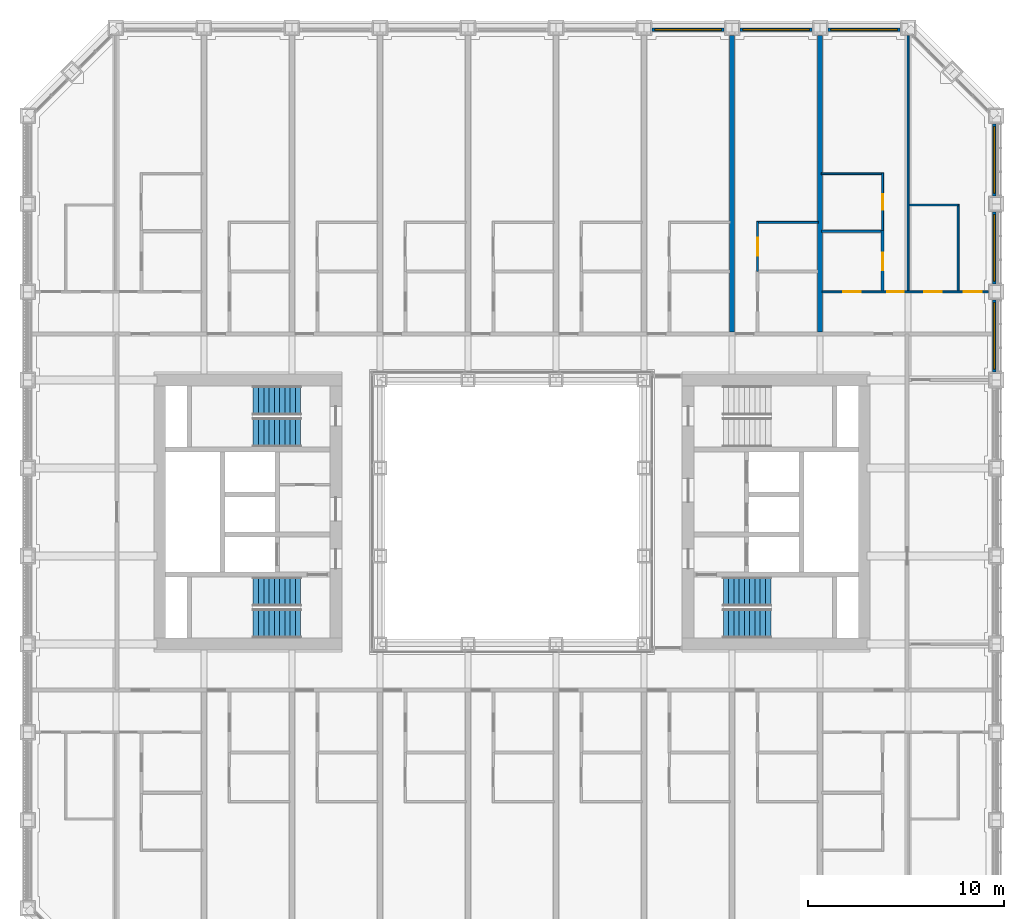
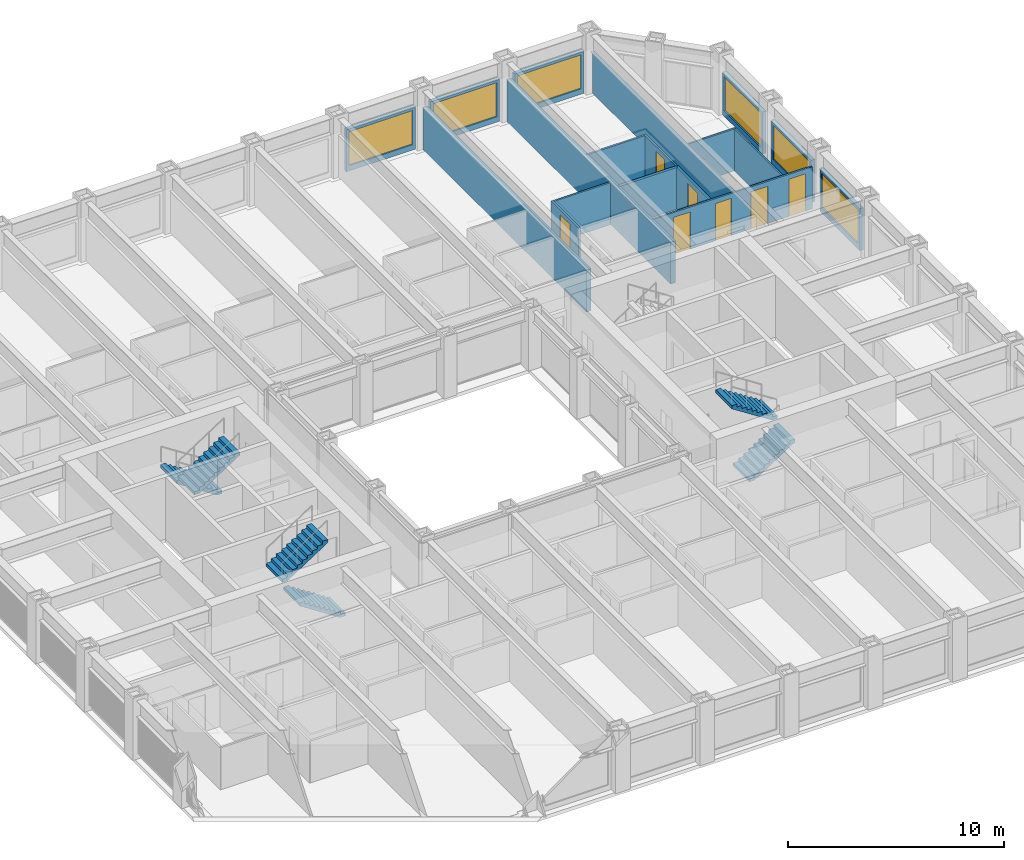
# One storey, part 15 of 21: 18 walls, 7 doors, 6 stair flights, 6 windows, 13 openings, 3 elements without a shape of their own.
"""IFC4 building model written with IfcOpenShell, lengths in metres."""

from ifc_helpers import new_model, si_unit, direction, frame, frame_2d, origin, place, context, subcontext, project, spatial, polyline, rectangle, outline, extrude, material, layer, layer_set, type_object, element, fill, aggregate, save


model = new_model("IFC4")

# Units and contexts
model_context = context("Model", 3, precision=1e-05, world=origin(), true_north=direction((0.0, 1.0)))
body_context = subcontext(model_context, "Body", "Model", "MODEL_VIEW")
ifc_project = project(units=[si_unit("LENGTHUNIT", "METRE"), si_unit("AREAUNIT", "SQUARE_METRE"), si_unit("VOLUMEUNIT", "CUBIC_METRE"), si_unit("PLANEANGLEUNIT", "RADIAN"), si_unit("MASSUNIT", "GRAM", prefix="KILO")], contexts=[model_context])

# Site, building, storey
site_placement = place(None, origin())
site = spatial("IfcSite", under=ifc_project, at=site_placement, CompositionType="ELEMENT")
building_placement = place(site_placement, origin())
building = spatial("IfcBuilding", under=site, at=building_placement, Name="Msasa Ring Tower", CompositionType="ELEMENT")
storey_placement = place(building_placement, frame((0.0, 0.0, 30.0)))
storey = spatial("IfcBuildingStorey", under=building, at=storey_placement, Name="L06", CompositionType="ELEMENT", Elevation=30.0)

# Wall, opening, window
ifc_material_1 = material(Name="Terracotta rainscreen on blockwork", Category="masonry")
ifc_layer_1 = layer(ifc_material_1, 0.199951171875)
ifc_layer_set_1 = layer_set([ifc_layer_1], Name="FW1 TERRACOTTA-LINED INFILL BAY WALL 200")
wall_type_1 = type_object("IfcWallType", Name="FW1 TERRACOTTA-LINED INFILL BAY WALL 200", PredefinedType="SOLIDWALL", material=ifc_layer_set_1)
wall_1_placement = place(storey_placement, frame((24.64990234375, 7.155029296875, 0.0), z_axis=(0.0, 0.0, 1.0), x_axis=(0.0, 1.0, 0.0)))
wall_1 = element("IfcWall", 1, at=wall_1_placement, inside=storey, type_object=wall_type_1, Name="Infill bay wall E L06 17", PredefinedType="SOLIDWALL", context=body_context, shape_type="SweptSolid", body=[
    extrude(rectangle(XDim=3.68994140625, YDim=0.199951171875, at=frame_2d((1.844970703125, 0.0))), origin(), (0.0, 0.0, 1.0), 2.37890625),
])
opening_1_placement = place(wall_1_placement, frame((0.14501953125, 0.0, 0.300048828125)))
opening_1 = element("IfcOpeningElement", 2, at=opening_1_placement, cuts=wall_1, Name="Opening WN1", PredefinedType="OPENING", context=body_context, shape_type="SweptSolid", body=[
    extrude(rectangle(XDim=3.39990234375, YDim=1.928955078125, at=frame_2d((1.699951171875, 0.96435546875))), frame((0.0, 0.10986328125, 0.0), z_axis=(0.0, -1.0, 0.0), x_axis=(1.0, 0.0, 0.0)), (0.0, 0.0, 1.0), 0.219970703125),
])
ifc_material_2 = material(Name="Aluminium frame with clear glass", Category="aluminium")
window_type = type_object("IfcWindowType", Name="WN1 RESIDENCE WINDOW 3400x1929", PartitioningType="SINGLE_PANEL", PredefinedType="WINDOW", material=ifc_material_2)
window_1_placement = place(opening_1_placement, origin())
window_1 = element("IfcWindow", 3, at=window_1_placement, inside=storey, type_object=window_type, Name="Window E L06 17", OverallHeight=1.928955078125, OverallWidth=3.39990234375, PartitioningType="SINGLE_PANEL", PredefinedType="WINDOW", context=body_context, shape_type="SweptSolid", body=[
    extrude(rectangle(XDim=3.39990234375, YDim=1.928955078125, at=frame_2d((1.699951171875, 0.96435546875))), frame((0.0, 0.030029296875, 0.0), z_axis=(0.0, -1.0, 0.0), x_axis=(1.0, 0.0, 0.0)), (0.0, 0.0, 1.0), 0.06005859375),
])
fill(opening_1, window_1)

wall_2_placement = place(storey_placement, frame((24.64990234375, 11.655029296875, 0.0), z_axis=(0.0, 0.0, 1.0), x_axis=(0.0, 1.0, 0.0)))
wall_2 = element("IfcWall", 4, at=wall_2_placement, inside=storey, type_object=wall_type_1, Name="Infill bay wall E L06 18", PredefinedType="SOLIDWALL", context=body_context, shape_type="SweptSolid", body=[
    extrude(rectangle(XDim=3.68994140625, YDim=0.199951171875, at=frame_2d((1.844970703125, 0.0))), origin(), (0.0, 0.0, 1.0), 2.37890625),
])
opening_2_placement = place(wall_2_placement, frame((0.14501953125, 0.0, 0.300048828125)))
opening_2 = element("IfcOpeningElement", 5, at=opening_2_placement, cuts=wall_2, Name="Opening WN1", PredefinedType="OPENING", context=body_context, shape_type="SweptSolid", body=[
    extrude(rectangle(XDim=3.39990234375, YDim=1.928955078125, at=frame_2d((1.699951171875, 0.96435546875))), frame((0.0, 0.10986328125, 0.0), z_axis=(0.0, -1.0, 0.0), x_axis=(1.0, 0.0, 0.0)), (0.0, 0.0, 1.0), 0.219970703125),
])
window_2_placement = place(opening_2_placement, origin())
window_2 = element("IfcWindow", 6, at=window_2_placement, inside=storey, type_object=window_type, Name="Window E L06 18", OverallHeight=1.928955078125, OverallWidth=3.39990234375, PartitioningType="SINGLE_PANEL", PredefinedType="WINDOW", context=body_context, shape_type="SweptSolid", body=[
    extrude(rectangle(XDim=3.39990234375, YDim=1.928955078125, at=frame_2d((1.699951171875, 0.96435546875))), frame((0.0, 0.030029296875, 0.0), z_axis=(0.0, -1.0, 0.0), x_axis=(1.0, 0.0, 0.0)), (0.0, 0.0, 1.0), 0.06005859375),
])
fill(opening_2, window_2)

wall_3_placement = place(storey_placement, frame((24.64990234375, 16.155029296875, 0.0), z_axis=(0.0, 0.0, 1.0), x_axis=(0.0, 1.0, 0.0)))
wall_3 = element("IfcWall", 7, at=wall_3_placement, inside=storey, type_object=wall_type_1, Name="Infill bay wall E L06 19", PredefinedType="SOLIDWALL", context=body_context, shape_type="SweptSolid", body=[
    extrude(rectangle(XDim=3.68994140625, YDim=0.199951171875, at=frame_2d((1.844970703125, 0.0))), origin(), (0.0, 0.0, 1.0), 2.37890625),
])
opening_3_placement = place(wall_3_placement, frame((0.14501953125, 0.0, 0.300048828125)))
opening_3 = element("IfcOpeningElement", 8, at=opening_3_placement, cuts=wall_3, Name="Opening WN1", PredefinedType="OPENING", context=body_context, shape_type="SweptSolid", body=[
    extrude(rectangle(XDim=3.39990234375, YDim=1.928955078125, at=frame_2d((1.699951171875, 0.96435546875))), frame((0.0, 0.10986328125, 0.0), z_axis=(0.0, -1.0, 0.0), x_axis=(1.0, 0.0, 0.0)), (0.0, 0.0, 1.0), 0.219970703125),
])
window_3_placement = place(opening_3_placement, origin())
window_3 = element("IfcWindow", 9, at=window_3_placement, inside=storey, type_object=window_type, Name="Window E L06 19", OverallHeight=1.928955078125, OverallWidth=3.39990234375, PartitioningType="SINGLE_PANEL", PredefinedType="WINDOW", context=body_context, shape_type="SweptSolid", body=[
    extrude(rectangle(XDim=3.39990234375, YDim=1.928955078125, at=frame_2d((1.699951171875, 0.96435546875))), frame((0.0, 0.030029296875, 0.0), z_axis=(0.0, -1.0, 0.0), x_axis=(1.0, 0.0, 0.0)), (0.0, 0.0, 1.0), 0.06005859375),
])
fill(opening_3, window_3)

wall_4_placement = place(storey_placement, frame((7.155029296875, 24.64990234375, 0.0), z_axis=(0.0, 0.0, 1.0), x_axis=(1.0, 0.0, 0.0)))
wall_4 = element("IfcWall", 10, at=wall_4_placement, inside=storey, type_object=wall_type_1, Name="Infill bay wall N L06 28", PredefinedType="SOLIDWALL", context=body_context, shape_type="SweptSolid", body=[
    extrude(rectangle(XDim=3.68994140625, YDim=0.199951171875, at=frame_2d((1.844970703125, 0.0))), origin(), (0.0, 0.0, 1.0), 2.37890625),
])
opening_4_placement = place(wall_4_placement, frame((0.14501953125, 0.0, 0.300048828125)))
opening_4 = element("IfcOpeningElement", 11, at=opening_4_placement, cuts=wall_4, Name="Opening WN1", PredefinedType="OPENING", context=body_context, shape_type="SweptSolid", body=[
    extrude(rectangle(XDim=3.39990234375, YDim=1.928955078125, at=frame_2d((1.699951171875, 0.96435546875))), frame((0.0, 0.10986328125, 0.0), z_axis=(0.0, -1.0, 0.0), x_axis=(1.0, 0.0, 0.0)), (0.0, 0.0, 1.0), 0.219970703125),
])
window_4_placement = place(opening_4_placement, origin())
window_4 = element("IfcWindow", 12, at=window_4_placement, inside=storey, type_object=window_type, Name="Window N L06 28", OverallHeight=1.928955078125, OverallWidth=3.39990234375, PartitioningType="SINGLE_PANEL", PredefinedType="WINDOW", context=body_context, shape_type="SweptSolid", body=[
    extrude(rectangle(XDim=3.39990234375, YDim=1.928955078125, at=frame_2d((1.699951171875, 0.96435546875))), frame((0.0, 0.030029296875, 0.0), z_axis=(0.0, -1.0, 0.0), x_axis=(1.0, 0.0, 0.0)), (0.0, 0.0, 1.0), 0.06005859375),
])
fill(opening_4, window_4)

wall_5_placement = place(storey_placement, frame((11.655029296875, 24.64990234375, 0.0), z_axis=(0.0, 0.0, 1.0), x_axis=(1.0, 0.0, 0.0)))
wall_5 = element("IfcWall", 13, at=wall_5_placement, inside=storey, type_object=wall_type_1, Name="Infill bay wall N L06 29", PredefinedType="SOLIDWALL", context=body_context, shape_type="SweptSolid", body=[
    extrude(rectangle(XDim=3.68994140625, YDim=0.199951171875, at=frame_2d((1.844970703125, 0.0))), origin(), (0.0, 0.0, 1.0), 2.37890625),
])
opening_5_placement = place(wall_5_placement, frame((0.14501953125, 0.0, 0.300048828125)))
opening_5 = element("IfcOpeningElement", 14, at=opening_5_placement, cuts=wall_5, Name="Opening WN1", PredefinedType="OPENING", context=body_context, shape_type="SweptSolid", body=[
    extrude(rectangle(XDim=3.39990234375, YDim=1.928955078125, at=frame_2d((1.699951171875, 0.96435546875))), frame((0.0, 0.10986328125, 0.0), z_axis=(0.0, -1.0, 0.0), x_axis=(1.0, 0.0, 0.0)), (0.0, 0.0, 1.0), 0.219970703125),
])
window_5_placement = place(opening_5_placement, origin())
window_5 = element("IfcWindow", 15, at=window_5_placement, inside=storey, type_object=window_type, Name="Window N L06 29", OverallHeight=1.928955078125, OverallWidth=3.39990234375, PartitioningType="SINGLE_PANEL", PredefinedType="WINDOW", context=body_context, shape_type="SweptSolid", body=[
    extrude(rectangle(XDim=3.39990234375, YDim=1.928955078125, at=frame_2d((1.699951171875, 0.96435546875))), frame((0.0, 0.030029296875, 0.0), z_axis=(0.0, -1.0, 0.0), x_axis=(1.0, 0.0, 0.0)), (0.0, 0.0, 1.0), 0.06005859375),
])
fill(opening_5, window_5)

wall_6_placement = place(storey_placement, frame((16.155029296875, 24.64990234375, 0.0), z_axis=(0.0, 0.0, 1.0), x_axis=(1.0, 0.0, 0.0)))
wall_6 = element("IfcWall", 16, at=wall_6_placement, inside=storey, type_object=wall_type_1, Name="Infill bay wall N L06 30", PredefinedType="SOLIDWALL", context=body_context, shape_type="SweptSolid", body=[
    extrude(rectangle(XDim=3.68994140625, YDim=0.199951171875, at=frame_2d((1.844970703125, 0.0))), origin(), (0.0, 0.0, 1.0), 2.37890625),
])
opening_6_placement = place(wall_6_placement, frame((0.14501953125, 0.0, 0.300048828125)))
opening_6 = element("IfcOpeningElement", 17, at=opening_6_placement, cuts=wall_6, Name="Opening WN1", PredefinedType="OPENING", context=body_context, shape_type="SweptSolid", body=[
    extrude(rectangle(XDim=3.39990234375, YDim=1.928955078125, at=frame_2d((1.699951171875, 0.96435546875))), frame((0.0, 0.10986328125, 0.0), z_axis=(0.0, -1.0, 0.0), x_axis=(1.0, 0.0, 0.0)), (0.0, 0.0, 1.0), 0.219970703125),
])
window_6_placement = place(opening_6_placement, origin())
window_6 = element("IfcWindow", 18, at=window_6_placement, inside=storey, type_object=window_type, Name="Window N L06 30", OverallHeight=1.928955078125, OverallWidth=3.39990234375, PartitioningType="SINGLE_PANEL", PredefinedType="WINDOW", context=body_context, shape_type="SweptSolid", body=[
    extrude(rectangle(XDim=3.39990234375, YDim=1.928955078125, at=frame_2d((1.699951171875, 0.96435546875))), frame((0.0, 0.030029296875, 0.0), z_axis=(0.0, -1.0, 0.0), x_axis=(1.0, 0.0, 0.0)), (0.0, 0.0, 1.0), 0.06005859375),
])
fill(opening_6, window_6)

# Wall
ifc_material_3 = material(Name="Gypsum board on steel studs", Category="steel")
ifc_layer_2 = layer(ifc_material_3, 0.10009765625)
ifc_layer_set_2 = layer_set([ifc_layer_2], Name="PT2 STUD PARTITION 100")
wall_type_2 = type_object("IfcWallType", Name="PT2 STUD PARTITION 100", PredefinedType="PARTITIONING", material=ifc_layer_set_2)
wall_7_placement = place(storey_placement, frame((12.60009765625, 14.800048828125, 0.0), z_axis=(0.0, 0.0, 1.0), x_axis=(1.0, 0.0, 0.0)))
element("IfcWall", 19, at=wall_7_placement, inside=storey, type_object=wall_type_2, Name="Partition L06-UN07KY", PredefinedType="PARTITIONING", context=body_context, shape_type="SweptSolid", body=[
    extrude(rectangle(XDim=3.0498046875, YDim=0.10009765625, at=frame_2d((1.52490234375, 0.0))), origin(), (0.0, 0.0, 1.0), 2.373291015625),
])

# Wall, opening, door
wall_8_placement = place(storey_placement, frame((12.550048828125, 12.300048828125, 0.0), z_axis=(0.0, 0.0, 1.0), x_axis=(0.0, 1.0, 0.0)))
wall_8 = element("IfcWall", 20, at=wall_8_placement, inside=storey, type_object=wall_type_2, Name="Partition L06-UN07KX", PredefinedType="PARTITIONING", context=body_context, shape_type="SweptSolid", body=[
    extrude(rectangle(XDim=2.550048828125, YDim=0.10009765625, at=frame_2d((1.27490234375, 0.0))), origin(), (0.0, 0.0, 1.0), 2.373291015625),
])
opening_7_placement = place(wall_8_placement, frame((0.81005859375, 0.0, 0.0)))
opening_7 = element("IfcOpeningElement", 21, at=opening_7_placement, cuts=wall_8, Name="Opening RA-009", PredefinedType="OPENING", context=body_context, shape_type="SweptSolid", body=[
    extrude(rectangle(XDim=0.89990234375, YDim=2.10009765625, at=frame_2d((0.449951171875, 1.050048828125))), frame((0.0, 0.06005859375, 0.0), z_axis=(0.0, -1.0, 0.0), x_axis=(1.0, 0.0, 0.0)), (0.0, 0.0, 1.0), 0.1201171875),
])
ifc_material_4 = material(Name="Timber door leaf in a steel frame", Category="steel")
door_type_1 = type_object("IfcDoorType", Name="D22 INTERNAL HALL DOOR 900x2100", OperationType="SINGLE_SWING_LEFT", PredefinedType="DOOR", material=ifc_material_4)
door_1_placement = place(opening_7_placement, origin())
door_1 = element("IfcDoor", 22, at=door_1_placement, inside=storey, type_object=door_type_1, Name="Door L06-UN07K", OperationType="SINGLE_SWING_LEFT", OverallHeight=2.10009765625, OverallWidth=0.89990234375, PredefinedType="DOOR", context=body_context, shape_type="SweptSolid", body=[
    extrude(rectangle(XDim=0.89990234375, YDim=2.10009765625, at=frame_2d((0.449951171875, 1.050048828125))), frame((0.0, 0.02490234375, 0.0), z_axis=(0.0, -1.0, 0.0), x_axis=(1.0, 0.0, 0.0)), (0.0, 0.0, 1.0), 0.050048828125),
])
fill(opening_7, door_1)

# Wall, openings, doors
wall_9_placement = place(storey_placement, frame((15.85009765625, 11.25, 0.0), z_axis=(0.0, 0.0, 1.0), x_axis=(1.0, 0.0, 0.0)))
wall_9 = element("IfcWall", 23, at=wall_9_placement, inside=storey, type_object=wall_type_2, Name="Partition L06-UN08HY", PredefinedType="PARTITIONING", context=body_context, shape_type="SweptSolid", body=[
    extrude(rectangle(XDim=8.5, YDim=0.10009765625, at=frame_2d((4.25, 0.0))), origin(), (0.0, 0.0, 1.0), 2.373291015625),
])
opening_8_placement = place(wall_9_placement, frame((5.22509765625, 0.0, 0.0)))
opening_8 = element("IfcOpeningElement", 24, at=opening_8_placement, cuts=wall_9, Name="Opening RA-018", PredefinedType="OPENING", context=body_context, shape_type="SweptSolid", body=[
    extrude(rectangle(XDim=0.89990234375, YDim=2.10009765625, at=frame_2d((0.449951171875, 1.050048828125))), frame((0.0, 0.06005859375, 0.0), z_axis=(0.0, -1.0, 0.0), x_axis=(1.0, 0.0, 0.0)), (0.0, 0.0, 1.0), 0.1201171875),
])
opening_9_placement = place(wall_9_placement, frame((7.25, 0.0, 0.0)))
opening_9 = element("IfcOpeningElement", 25, at=opening_9_placement, cuts=wall_9, Name="Opening RA-019", PredefinedType="OPENING", context=body_context, shape_type="SweptSolid", body=[
    extrude(rectangle(XDim=0.89990234375, YDim=2.10009765625, at=frame_2d((0.449951171875, 1.050048828125))), frame((0.0, 0.06005859375, 0.0), z_axis=(0.0, -1.0, 0.0), x_axis=(1.0, 0.0, 0.0)), (0.0, 0.0, 1.0), 0.1201171875),
])
opening_10_placement = place(wall_9_placement, frame((3.324951171875, 0.0, 0.0)))
opening_10 = element("IfcOpeningElement", 26, at=opening_10_placement, cuts=wall_9, Name="Opening RA-017", PredefinedType="OPENING", context=body_context, shape_type="SweptSolid", body=[
    extrude(rectangle(XDim=0.85009765625, YDim=2.10009765625, at=frame_2d((0.425048828125, 1.050048828125))), frame((0.0, 0.06005859375, 0.0), z_axis=(0.0, -1.0, 0.0), x_axis=(1.0, 0.0, 0.0)), (0.0, 0.0, 1.0), 0.1201171875),
])
opening_11_placement = place(wall_9_placement, frame((1.080078125, 0.0, 0.0)))
opening_11 = element("IfcOpeningElement", 27, at=opening_11_placement, cuts=wall_9, Name="Opening RA-016", PredefinedType="OPENING", context=body_context, shape_type="SweptSolid", body=[
    extrude(rectangle(XDim=0.89990234375, YDim=2.10009765625, at=frame_2d((0.449951171875, 1.050048828125))), frame((0.0, 0.06005859375, 0.0), z_axis=(0.0, -1.0, 0.0), x_axis=(1.0, 0.0, 0.0)), (0.0, 0.0, 1.0), 0.1201171875),
])
ifc_material_5 = material(Name="Timber door leaf in a steel frame", Category="steel")
door_type_2 = type_object("IfcDoorType", Name="D14 BEDROOM DOOR 850x2100", OperationType="SINGLE_SWING_LEFT", PredefinedType="DOOR", material=ifc_material_5)
door_2_placement = place(opening_10_placement, origin())
door_2 = element("IfcDoor", 28, at=door_2_placement, inside=storey, type_object=door_type_2, Name="Door L06-UN08R1", OperationType="SINGLE_SWING_LEFT", OverallHeight=2.10009765625, OverallWidth=0.85009765625, PredefinedType="DOOR", context=body_context, shape_type="SweptSolid", body=[
    extrude(rectangle(XDim=0.85009765625, YDim=2.10009765625, at=frame_2d((0.425048828125, 1.050048828125))), frame((0.0, 0.02490234375, 0.0), z_axis=(0.0, -1.0, 0.0), x_axis=(1.0, 0.0, 0.0)), (0.0, 0.0, 1.0), 0.050048828125),
])
fill(opening_10, door_2)
door_3_placement = place(opening_8_placement, origin())
door_3 = element("IfcDoor", 29, at=door_3_placement, inside=storey, type_object=door_type_1, Name="Door L06-UN08K", OperationType="SINGLE_SWING_RIGHT", OverallHeight=2.10009765625, OverallWidth=0.89990234375, PredefinedType="DOOR", context=body_context, shape_type="SweptSolid", body=[
    extrude(rectangle(XDim=0.89990234375, YDim=2.10009765625, at=frame_2d((0.449951171875, 1.050048828125))), frame((0.0, 0.02490234375, 0.0), z_axis=(0.0, -1.0, 0.0), x_axis=(1.0, 0.0, 0.0)), (0.0, 0.0, 1.0), 0.050048828125),
])
fill(opening_8, door_3)
door_4_placement = place(opening_9_placement, origin())
door_4 = element("IfcDoor", 30, at=door_4_placement, inside=storey, type_object=door_type_1, Name="Door L06-UN08L", OperationType="SINGLE_SWING_RIGHT", OverallHeight=2.10009765625, OverallWidth=0.89990234375, PredefinedType="DOOR", context=body_context, shape_type="SweptSolid", body=[
    extrude(rectangle(XDim=0.89990234375, YDim=2.10009765625, at=frame_2d((0.449951171875, 1.050048828125))), frame((0.0, 0.02490234375, 0.0), z_axis=(0.0, -1.0, 0.0), x_axis=(1.0, 0.0, 0.0)), (0.0, 0.0, 1.0), 0.050048828125),
])
fill(opening_9, door_4)
ifc_material_6 = material(Name="Timber door leaf in a steel frame", Category="steel")
door_type_3 = type_object("IfcDoorType", Name="D3 BATHROOM DOOR 900x2100", OperationType="SINGLE_SWING_LEFT", PredefinedType="DOOR", material=ifc_material_6)
door_5_placement = place(opening_11_placement, origin())
door_5 = element("IfcDoor", 31, at=door_5_placement, inside=storey, type_object=door_type_3, Name="Door L06-UN08BH1", OperationType="SINGLE_SWING_LEFT", OverallHeight=2.10009765625, OverallWidth=0.89990234375, PredefinedType="DOOR", context=body_context, shape_type="SweptSolid", body=[
    extrude(rectangle(XDim=0.89990234375, YDim=2.10009765625, at=frame_2d((0.449951171875, 1.050048828125))), frame((0.0, 0.02490234375, 0.0), z_axis=(0.0, -1.0, 0.0), x_axis=(1.0, 0.0, 0.0)), (0.0, 0.0, 1.0), 0.050048828125),
])
fill(opening_11, door_5)

# Walls
wall_10_placement = place(storey_placement, frame((22.800048828125, 11.300048828125, 0.0), z_axis=(0.0, 0.0, 1.0), x_axis=(0.0, 1.0, 0.0)))
element("IfcWall", 32, at=wall_10_placement, inside=storey, type_object=wall_type_2, Name="Partition L06-UN08KX", PredefinedType="PARTITIONING", context=body_context, shape_type="SweptSolid", body=[
    extrude(rectangle(XDim=4.442138671875, YDim=0.10009765625, at=frame_2d((2.22119140625, 0.0))), origin(), (0.0, 0.0, 1.0), 2.373291015625),
])
wall_11_placement = place(storey_placement, frame((20.300048828125, 15.692138671875, 0.0), z_axis=(0.0, 0.0, 1.0), x_axis=(1.0, 0.0, 0.0)))
element("IfcWall", 33, at=wall_11_placement, inside=storey, type_object=wall_type_2, Name="Partition L06-UN08KY", PredefinedType="PARTITIONING", context=body_context, shape_type="SweptSolid", body=[
    extrude(rectangle(XDim=2.5, YDim=0.10009765625, at=frame_2d((1.25, 0.0))), origin(), (0.0, 0.0, 1.0), 2.373291015625),
])
wall_12_placement = place(storey_placement, frame((20.25, 11.300048828125, 0.0), z_axis=(0.0, 0.0, 1.0), x_axis=(0.0, 1.0, 0.0)))
element("IfcWall", 34, at=wall_12_placement, inside=storey, type_object=wall_type_2, Name="Partition L06-UN08P1", PredefinedType="PARTITIONING", context=body_context, shape_type="SweptSolid", body=[
    extrude(rectangle(XDim=13.050048828125, YDim=0.10009765625, at=frame_2d((6.52490234375, 0.0))), origin(), (0.0, 0.0, 1.0), 2.373291015625),
])

# Wall, opening, door
wall_13_placement = place(storey_placement, frame((18.949951171875, 14.39990234375, 0.0), z_axis=(0.0, 0.0, 1.0), x_axis=(0.0, 1.0, 0.0)))
wall_13 = element("IfcWall", 35, at=wall_13_placement, inside=storey, type_object=wall_type_2, Name="Partition L06-UN08WX1", PredefinedType="PARTITIONING", context=body_context, shape_type="SweptSolid", body=[
    extrude(rectangle(XDim=2.94091796875, YDim=0.10009765625, at=frame_2d((1.470458984375, 0.0))), origin(), (0.0, 0.0, 1.0), 2.373291015625),
])
opening_12_placement = place(wall_13_placement, frame((1.04541015625, 0.0, 0.0)))
opening_12 = element("IfcOpeningElement", 36, at=opening_12_placement, cuts=wall_13, Name="Opening RA-002", PredefinedType="OPENING", context=body_context, shape_type="SweptSolid", body=[
    extrude(rectangle(XDim=0.800048828125, YDim=2.10009765625, at=frame_2d((0.39990234375, 1.050048828125))), frame((0.0, 0.06005859375, 0.0), z_axis=(0.0, -1.0, 0.0), x_axis=(1.0, 0.0, 0.0)), (0.0, 0.0, 1.0), 0.1201171875),
])
ifc_material_7 = material(Name="Timber door leaf in a steel frame", Category="steel")
door_type_4 = type_object("IfcDoorType", Name="D60 DRESSING ROOM DOOR 800x2100", OperationType="SINGLE_SWING_LEFT", PredefinedType="DOOR", material=ifc_material_7)
door_6_placement = place(opening_12_placement, origin())
door_6 = element("IfcDoor", 37, at=door_6_placement, inside=storey, type_object=door_type_4, Name="Door L06-UN08W1", OperationType="SINGLE_SWING_LEFT", OverallHeight=2.10009765625, OverallWidth=0.800048828125, PredefinedType="DOOR", context=body_context, shape_type="SweptSolid", body=[
    extrude(rectangle(XDim=0.800048828125, YDim=2.10009765625, at=frame_2d((0.39990234375, 1.050048828125))), frame((0.0, 0.02490234375, 0.0), z_axis=(0.0, -1.0, 0.0), x_axis=(1.0, 0.0, 0.0)), (0.0, 0.0, 1.0), 0.050048828125),
])
fill(opening_12, door_6)

# Walls
wall_14_placement = place(storey_placement, frame((15.81005859375, 17.291015625, 0.0), z_axis=(0.0, 0.0, 1.0), x_axis=(1.0, 0.0, 0.0)))
element("IfcWall", 38, at=wall_14_placement, inside=storey, type_object=wall_type_2, Name="Partition L06-UN08WY1", PredefinedType="PARTITIONING", context=body_context, shape_type="SweptSolid", body=[
    extrude(rectangle(XDim=3.139892578125, YDim=0.10009765625, at=frame_2d((1.56982421875, 0.0))), origin(), (0.0, 0.0, 1.0), 2.373291015625),
])
ifc_material_8 = material(Name="Dense concrete blockwork, plastered both faces", Category="masonry")
ifc_layer_3 = layer(ifc_material_8, 0.25)
ifc_layer_set_3 = layer_set([ifc_layer_3], Name="PT3 APARTMENT SEPARATING WALL 250")
wall_type_3 = type_object("IfcWallType", Name="PT3 APARTMENT SEPARATING WALL 250", PredefinedType="PARTITIONING", material=ifc_layer_set_3)
for number, where, z_axis, x_axis, name in (
    (39, (11.25, 9.199951171875, 0.0), (0.0, 0.0, 1.0), (0.0, 1.0, 0.0), "Party wall L06-PWN+11.25"),
    (40, (15.75, 9.199951171875, 0.0), (0.0, 0.0, 1.0), (0.0, 1.0, 0.0), "Party wall L06-PWN+15.75"),
):
    element("IfcWall", number, at=place(storey_placement, frame(where, z_axis=z_axis, x_axis=x_axis)), inside=storey, type_object=wall_type_3, Name=name, PredefinedType="PARTITIONING", context=body_context, shape_type="SweptSolid", body=[
        extrude(rectangle(XDim=15.150146484375, YDim=0.25, at=frame_2d((7.5751953125, 0.0))), origin(), (0.0, 0.0, 1.0), 2.373291015625),
    ])

# Wall, opening, door
ifc_material_9 = material(Name="Moisture-resistant board on steel studs with a concealed cistern and pipe void, tiled", Category="steel")
ifc_layer_4 = layer(ifc_material_9, 0.14990234375)
ifc_layer_set_4 = layer_set([ifc_layer_4], Name="PT4 BATHROOM WET WALL 150")
wall_type_4 = type_object("IfcWallType", Name="PT4 BATHROOM WET WALL 150", PredefinedType="PARTITIONING", material=ifc_layer_set_4)
wall_15_placement = place(storey_placement, frame((18.949951171875, 11.300048828125, 0.0), z_axis=(0.0, 0.0, 1.0), x_axis=(0.0, 1.0, 0.0)))
wall_15 = element("IfcWall", 41, at=wall_15_placement, inside=storey, type_object=wall_type_4, Name="Partition L06-UN08BX1", PredefinedType="PARTITIONING", context=body_context, shape_type="SweptSolid", body=[
    extrude(rectangle(XDim=3.099853515625, YDim=0.14990234375, at=frame_2d((1.5498046875, 0.0))), origin(), (0.0, 0.0, 1.0), 2.373291015625),
])
opening_13_placement = place(wall_15_placement, frame((1.050048828125, 0.0, 0.0)))
opening_13 = element("IfcOpeningElement", 42, at=opening_13_placement, cuts=wall_15, Name="Opening RA-011", PredefinedType="OPENING", context=body_context, shape_type="SweptSolid", body=[
    extrude(rectangle(XDim=0.89990234375, YDim=2.10009765625, at=frame_2d((0.449951171875, 1.050048828125))), frame((0.0, 0.0849609375, 0.0), z_axis=(0.0, -1.0, 0.0), x_axis=(1.0, 0.0, 0.0)), (0.0, 0.0, 1.0), 0.169921875),
])
door_7_placement = place(opening_13_placement, origin())
door_7 = element("IfcDoor", 43, at=door_7_placement, inside=storey, type_object=door_type_3, Name="Door L06-UN08B1", OperationType="SINGLE_SWING_LEFT", OverallHeight=2.10009765625, OverallWidth=0.89990234375, PredefinedType="DOOR", context=body_context, shape_type="SweptSolid", body=[
    extrude(rectangle(XDim=0.89990234375, YDim=2.10009765625, at=frame_2d((0.449951171875, 1.050048828125))), frame((0.0, 0.02490234375, 0.0), z_axis=(0.0, -1.0, 0.0), x_axis=(1.0, 0.0, 0.0)), (0.0, 0.0, 1.0), 0.050048828125),
])
fill(opening_13, door_7)

# Wall
wall_16_placement = place(storey_placement, frame((15.81005859375, 14.35009765625, 0.0), z_axis=(0.0, 0.0, 1.0), x_axis=(1.0, 0.0, 0.0)))
element("IfcWall", 44, at=wall_16_placement, inside=storey, type_object=wall_type_4, Name="Partition L06-UN08BY1", PredefinedType="PARTITIONING", context=body_context, shape_type="SweptSolid", body=[
    extrude(rectangle(XDim=3.139892578125, YDim=0.14990234375, at=frame_2d((1.56982421875, 0.0))), origin(), (0.0, 0.0, 1.0), 2.373291015625),
])

# Stair, stair flights
ifc_material_10 = material(Name="Concrete C40/50", Category="concrete")
stair_type = type_object("IfcStairType", Name="STC CORE STAIR 20 RISERS 175", PredefinedType="HALF_TURN_STAIR", material=ifc_material_10)
stair_1_placement = place(storey_placement, origin())
stair_1 = element("IfcStair", 45, at=stair_1_placement, inside=storey, type_object=stair_type, Name="Core stair SEA L06", PredefinedType="HALF_TURN_STAIR")
ifc_material_11 = material(Name="Concrete C40/50", Category="concrete")
stair_flight_type = type_object("IfcStairFlightType", Name="ST12 CORE STAIR FLIGHT 1500 10 RISERS 175", PredefinedType="STRAIGHT", material=ifc_material_11)
stair_flight_1_placement = place(storey_placement, frame((10.800048828125, -5.699951171875, 0.0), z_axis=(0.0, 0.0, 1.0), x_axis=(1.0, 0.0, 0.0)))
stair_flight_1 = element("IfcStairFlight", 46, at=stair_flight_1_placement, type_object=stair_flight_type, Name="SEA flight 1", NumberOfRisers=10, NumberOfTreads=9, PredefinedType="STRAIGHT", RiserHeight=0.175, TreadLength=0.27, context=body_context, shape_type="SweptSolid", body=[
    extrude(outline(polyline([(0.0, 0.0), (0.0, 0.175048828125), (0.27001953125, 0.175048828125), (0.27001953125, 0.35009765625), (0.5400390625, 0.35009765625), (0.5400390625, 0.52490234375), (0.81005859375, 0.52490234375), (0.81005859375, 0.699951171875), (1.080078125, 0.699951171875), (1.080078125, 0.875), (1.35009765625, 0.875), (1.35009765625, 1.050048828125), (1.6201171875, 1.050048828125), (1.6201171875, 1.22509765625), (1.889892578125, 1.22509765625), (1.889892578125, 1.39990234375), (2.159912109375, 1.39990234375), (2.159912109375, 1.574951171875), (2.429931640625, 1.574951171875), (2.429931640625, 1.75), (2.429931640625, 1.396484375), (0.275634765625, 0.0), (0.0, 0.0)])), frame((0.0, 0.75, 0.0), z_axis=(0.0, -1.0, 0.0), x_axis=(1.0, 0.0, 0.0)), (0.0, 0.0, 1.0), 1.5),
])
stair_flight_2_placement = place(storey_placement, frame((13.22998046875, -4.074951171875, 1.75), z_axis=(0.0, 0.0, 1.0), x_axis=(-1.0, 0.0, 0.0)))
stair_flight_2 = element("IfcStairFlight", 47, at=stair_flight_2_placement, type_object=stair_flight_type, Name="SEA flight 2", NumberOfRisers=10, NumberOfTreads=9, PredefinedType="STRAIGHT", RiserHeight=0.175, TreadLength=0.27, context=body_context, shape_type="SweptSolid", body=[
    extrude(outline(polyline([(0.0, 0.0), (0.0, 0.175048828125), (0.27001953125, 0.175048828125), (0.27001953125, 0.35009765625), (0.5400390625, 0.35009765625), (0.5400390625, 0.52490234375), (0.81005859375, 0.52490234375), (0.81005859375, 0.699951171875), (1.080078125, 0.699951171875), (1.080078125, 0.875), (1.35009765625, 0.875), (1.35009765625, 1.050048828125), (1.6201171875, 1.050048828125), (1.6201171875, 1.22509765625), (1.889892578125, 1.22509765625), (1.889892578125, 1.39990234375), (2.159912109375, 1.39990234375), (2.159912109375, 1.574951171875), (2.429931640625, 1.574951171875), (2.429931640625, 1.75), (2.429931640625, 1.396484375), (0.275634765625, 0.0), (0.0, 0.0)])), frame((0.0, 0.75, 0.0), z_axis=(0.0, -1.0, 0.0), x_axis=(1.0, 0.0, 0.0)), (0.0, 0.0, 1.0), 1.5),
])
aggregate(stair_1, [stair_flight_1, stair_flight_2])

stair_2_placement = place(storey_placement, origin())
stair_2 = element("IfcStair", 48, at=stair_2_placement, inside=storey, type_object=stair_type, Name="Core stair SWA L06", PredefinedType="HALF_TURN_STAIR")
stair_flight_3_placement = place(storey_placement, frame((-10.800048828125, -5.699951171875, 0.0), z_axis=(0.0, 0.0, 1.0), x_axis=(-1.0, 0.0, 0.0)))
stair_flight_3 = element("IfcStairFlight", 49, at=stair_flight_3_placement, type_object=stair_flight_type, Name="SWA flight 1", NumberOfRisers=10, NumberOfTreads=9, PredefinedType="STRAIGHT", RiserHeight=0.175, TreadLength=0.27, context=body_context, shape_type="SweptSolid", body=[
    extrude(outline(polyline([(0.0, 0.0), (0.0, 0.175048828125), (0.27001953125, 0.175048828125), (0.27001953125, 0.35009765625), (0.5400390625, 0.35009765625), (0.5400390625, 0.52490234375), (0.81005859375, 0.52490234375), (0.81005859375, 0.699951171875), (1.080078125, 0.699951171875), (1.080078125, 0.875), (1.35009765625, 0.875), (1.35009765625, 1.050048828125), (1.6201171875, 1.050048828125), (1.6201171875, 1.22509765625), (1.889892578125, 1.22509765625), (1.889892578125, 1.39990234375), (2.159912109375, 1.39990234375), (2.159912109375, 1.574951171875), (2.429931640625, 1.574951171875), (2.429931640625, 1.75), (2.429931640625, 1.396484375), (0.275634765625, 0.0), (0.0, 0.0)])), frame((0.0, 0.75, 0.0), z_axis=(0.0, -1.0, 0.0), x_axis=(1.0, 0.0, 0.0)), (0.0, 0.0, 1.0), 1.5),
])
stair_flight_4_placement = place(storey_placement, frame((-13.22998046875, -4.074951171875, 1.75), z_axis=(0.0, 0.0, 1.0), x_axis=(1.0, 0.0, 0.0)))
stair_flight_4 = element("IfcStairFlight", 50, at=stair_flight_4_placement, type_object=stair_flight_type, Name="SWA flight 2", NumberOfRisers=10, NumberOfTreads=9, PredefinedType="STRAIGHT", RiserHeight=0.175, TreadLength=0.27, context=body_context, shape_type="SweptSolid", body=[
    extrude(outline(polyline([(0.0, 0.0), (0.0, 0.175048828125), (0.27001953125, 0.175048828125), (0.27001953125, 0.35009765625), (0.5400390625, 0.35009765625), (0.5400390625, 0.52490234375), (0.81005859375, 0.52490234375), (0.81005859375, 0.699951171875), (1.080078125, 0.699951171875), (1.080078125, 0.875), (1.35009765625, 0.875), (1.35009765625, 1.050048828125), (1.6201171875, 1.050048828125), (1.6201171875, 1.22509765625), (1.889892578125, 1.22509765625), (1.889892578125, 1.39990234375), (2.159912109375, 1.39990234375), (2.159912109375, 1.574951171875), (2.429931640625, 1.574951171875), (2.429931640625, 1.75), (2.429931640625, 1.396484375), (0.275634765625, 0.0), (0.0, 0.0)])), frame((0.0, 0.75, 0.0), z_axis=(0.0, -1.0, 0.0), x_axis=(1.0, 0.0, 0.0)), (0.0, 0.0, 1.0), 1.5),
])
aggregate(stair_2, [stair_flight_3, stair_flight_4])

stair_3_placement = place(storey_placement, origin())
stair_3 = element("IfcStair", 51, at=stair_3_placement, inside=storey, type_object=stair_type, Name="Core stair SWB L06", PredefinedType="HALF_TURN_STAIR")
stair_flight_5_placement = place(storey_placement, frame((-10.800048828125, 5.699951171875, 0.0), z_axis=(0.0, 0.0, 1.0), x_axis=(-1.0, 0.0, 0.0)))
stair_flight_5 = element("IfcStairFlight", 52, at=stair_flight_5_placement, type_object=stair_flight_type, Name="SWB flight 1", NumberOfRisers=10, NumberOfTreads=9, PredefinedType="STRAIGHT", RiserHeight=0.175, TreadLength=0.27, context=body_context, shape_type="SweptSolid", body=[
    extrude(outline(polyline([(0.0, 0.0), (0.0, 0.175048828125), (0.27001953125, 0.175048828125), (0.27001953125, 0.35009765625), (0.5400390625, 0.35009765625), (0.5400390625, 0.52490234375), (0.81005859375, 0.52490234375), (0.81005859375, 0.699951171875), (1.080078125, 0.699951171875), (1.080078125, 0.875), (1.35009765625, 0.875), (1.35009765625, 1.050048828125), (1.6201171875, 1.050048828125), (1.6201171875, 1.22509765625), (1.889892578125, 1.22509765625), (1.889892578125, 1.39990234375), (2.159912109375, 1.39990234375), (2.159912109375, 1.574951171875), (2.429931640625, 1.574951171875), (2.429931640625, 1.75), (2.429931640625, 1.396484375), (0.275634765625, 0.0), (0.0, 0.0)])), frame((0.0, 0.75, 0.0), z_axis=(0.0, -1.0, 0.0), x_axis=(1.0, 0.0, 0.0)), (0.0, 0.0, 1.0), 1.5),
])
stair_flight_6_placement = place(storey_placement, frame((-13.22998046875, 4.074951171875, 1.75), z_axis=(0.0, 0.0, 1.0), x_axis=(1.0, 0.0, 0.0)))
stair_flight_6 = element("IfcStairFlight", 53, at=stair_flight_6_placement, type_object=stair_flight_type, Name="SWB flight 2", NumberOfRisers=10, NumberOfTreads=9, PredefinedType="STRAIGHT", RiserHeight=0.175, TreadLength=0.27, context=body_context, shape_type="SweptSolid", body=[
    extrude(outline(polyline([(0.0, 0.0), (0.0, 0.175048828125), (0.27001953125, 0.175048828125), (0.27001953125, 0.35009765625), (0.5400390625, 0.35009765625), (0.5400390625, 0.52490234375), (0.81005859375, 0.52490234375), (0.81005859375, 0.699951171875), (1.080078125, 0.699951171875), (1.080078125, 0.875), (1.35009765625, 0.875), (1.35009765625, 1.050048828125), (1.6201171875, 1.050048828125), (1.6201171875, 1.22509765625), (1.889892578125, 1.22509765625), (1.889892578125, 1.39990234375), (2.159912109375, 1.39990234375), (2.159912109375, 1.574951171875), (2.429931640625, 1.574951171875), (2.429931640625, 1.75), (2.429931640625, 1.396484375), (0.275634765625, 0.0), (0.0, 0.0)])), frame((0.0, 0.75, 0.0), z_axis=(0.0, -1.0, 0.0), x_axis=(1.0, 0.0, 0.0)), (0.0, 0.0, 1.0), 1.5),
])
aggregate(stair_3, [stair_flight_5, stair_flight_6])

save(model, "model.ifc")
